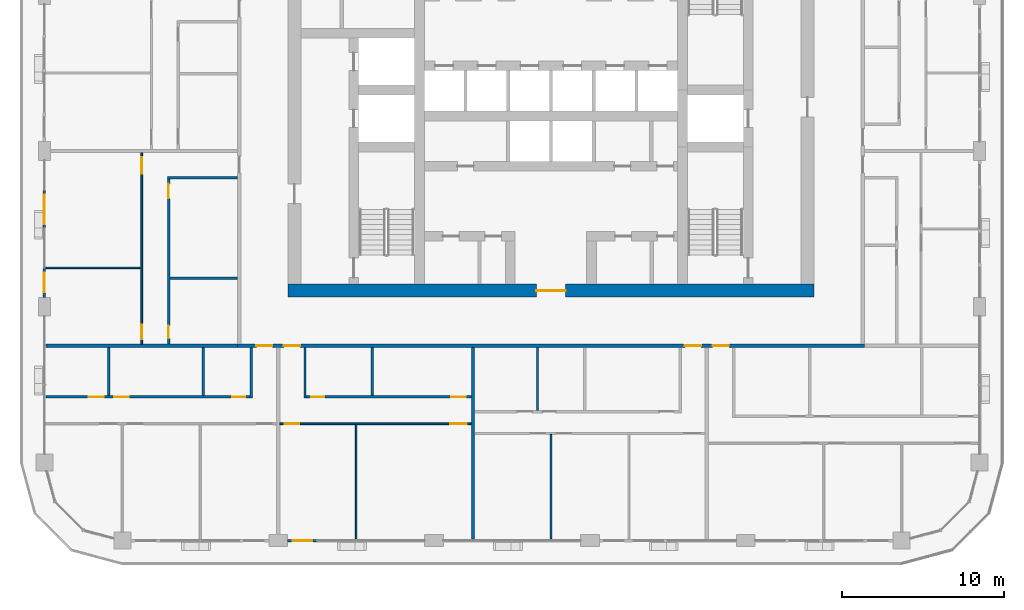
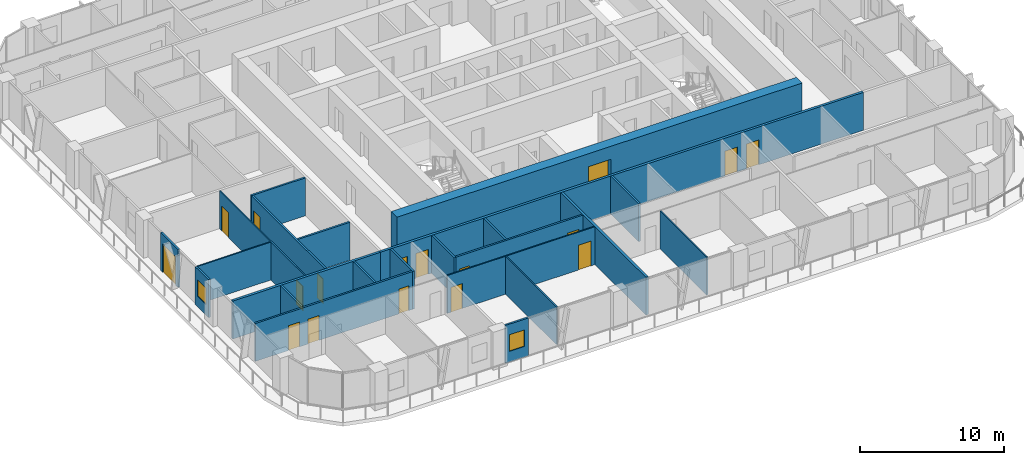
# One storey, part 9 of 22: 23 walls, 17 doors, 2 windows, 19 openings.
"""IFC4 building model written with IfcOpenShell, lengths in metres."""

from ifc_helpers import new_model, si_unit, direction, frame, frame_2d, origin, place, context, subcontext, project, spatial, rectangle, extrude, material, layer, layer_set, type_object, element, fill, save


model = new_model("IFC4")

# Units and contexts
model_context = context("Model", 3, precision=1e-05, world=origin(), true_north=direction((0.0, 1.0)))
body_context = subcontext(model_context, "Body", "Model", "MODEL_VIEW")
ifc_project = project(units=[si_unit("LENGTHUNIT", "METRE"), si_unit("AREAUNIT", "SQUARE_METRE"), si_unit("VOLUMEUNIT", "CUBIC_METRE"), si_unit("PLANEANGLEUNIT", "RADIAN"), si_unit("MASSUNIT", "GRAM", prefix="KILO")], contexts=[model_context])

# Site, building, storey
site_placement = place(None, origin())
site = spatial("IfcSite", under=ifc_project, at=site_placement, CompositionType="ELEMENT")
building_placement = place(site_placement, origin())
building = spatial("IfcBuilding", under=site, at=building_placement, Name="Madar Terraces", CompositionType="ELEMENT")
storey_placement = place(building_placement, frame((0.0, 0.0, 149.0)))
storey = spatial("IfcBuildingStorey", under=building, at=storey_placement, Name="L38", CompositionType="ELEMENT", Elevation=149.0)

# Wall, opening, door
ifc_material_1 = material(Name="Concrete C70/85", Category="concrete")
ifc_layer_1 = layer(ifc_material_1, 0.800048828125)
ifc_layer_set_1 = layer_set([ifc_layer_1], Name="Concrete C70/85 (CRW3 RC wall 800)")
wall_type_1 = type_object("IfcWallType", Name="CRW3 RC wall 800", PredefinedType="SHEAR", material=ifc_layer_set_1)
wall_1_placement = place(storey_placement, frame((15.0, 15.39990234375, 0.0), z_axis=(0.0, 0.0, 1.0), x_axis=(1.0, 0.0, 0.0)))
wall_1 = element("IfcWall", 1, at=wall_1_placement, inside=storey, type_object=wall_type_1, Name="CORE OUTER WALL", PredefinedType="SHEAR", context=body_context, shape_type="SweptSolid", body=[
    extrude(rectangle(XDim=32.39990234375, YDim=0.800048828125, at=frame_2d((16.199951171875, 0.0))), origin(), (0.0, 0.0, 1.0), 3.199951171875),
])
opening_1_placement = place(wall_1_placement, frame((15.300048828125, 0.0, 0.0)))
opening_1 = element("IfcOpeningElement", 2, at=opening_1_placement, cuts=wall_1, Name="Opening KD1", PredefinedType="OPENING", context=body_context, shape_type="SweptSolid", body=[
    extrude(rectangle(XDim=1.800048828125, YDim=2.10009765625, at=frame_2d((0.89990234375, 1.050048828125))), frame((0.0, 0.409912109375, 0.0), z_axis=(0.0, -1.0, 0.0), x_axis=(1.0, 0.0, 0.0)), (0.0, 0.0, 1.0), 0.820068359375),
])
ifc_material_2 = material(Name="Steel door leaf", Category="steel")
door_type_1 = type_object("IfcDoorType", Name="Lobby door pair 1800 x 2100", OperationType="DOUBLE_DOOR_SINGLE_SWING", PredefinedType="DOOR", material=ifc_material_2)
door_1_placement = place(opening_1_placement, frame((1.800048828125, 0.0, 0.0), z_axis=(0.0, 0.0, 1.0), x_axis=(-1.0, 0.0, 0.0)))
door_1 = element("IfcDoor", 3, at=door_1_placement, inside=storey, type_object=door_type_1, Name="LIFT LOBBY DOOR", OperationType="DOUBLE_DOOR_SINGLE_SWING", OverallHeight=2.10009765625, OverallWidth=1.800048828125, PredefinedType="DOOR", context=body_context, shape_type="SweptSolid", body=[
    extrude(rectangle(XDim=1.800048828125, YDim=2.10009765625, at=frame_2d((0.89990234375, 1.050048828125))), frame((0.0, 0.02490234375, 0.0), z_axis=(0.0, -1.0, 0.0), x_axis=(1.0, 0.0, 0.0)), (0.0, 0.0, 1.0), 0.050048828125),
])
fill(opening_1, door_1)

# Wall, opening, window
ifc_material_3 = material(Name="Aluminium composite panel, black, over insulated backing", Category="aluminium")
ifc_layer_2 = layer(ifc_material_3, 0.14990234375)
ifc_layer_set_2 = layer_set([ifc_layer_2], Name="Facade bay panel 150")
wall_type_2 = type_object("IfcWallType", Name="Facade bay panel 150", PredefinedType="SOLIDWALL", material=ifc_layer_set_2)
wall_2_placement = place(storey_placement, frame((14.97509765625, 0.0, 0.0), z_axis=(0.0, 0.0, 1.0), x_axis=(1.0, 0.0, 0.0)))
wall_2 = element("IfcWall", 4, at=wall_2_placement, inside=storey, type_object=wall_type_2, Name="Facade bay panel", PredefinedType="SOLIDWALL", context=body_context, shape_type="SweptSolid", body=[
    extrude(rectangle(XDim=1.824951171875, YDim=0.14990234375, at=frame_2d((0.91259765625, 0.0))), origin(), (0.0, 0.0, 1.0), 3.199951171875),
])
opening_2_placement = place(wall_2_placement, frame((0.3125, 0.0, 0.89990234375)))
opening_2 = element("IfcOpeningElement", 5, at=opening_2_placement, cuts=wall_2, Name="Opening W1", PredefinedType="OPENING", context=body_context, shape_type="SweptSolid", body=[
    extrude(rectangle(XDim=1.199951171875, YDim=1.39990234375, at=frame_2d((0.60009765625, 0.699951171875))), frame((0.0, 0.0849609375, 0.0), z_axis=(0.0, -1.0, 0.0), x_axis=(1.0, 0.0, 0.0)), (0.0, 0.0, 1.0), 0.169921875),
])
ifc_material_4 = material(Name="Glass, clear, with black aluminium frame", Category="aluminium")
window_type = type_object("IfcWindowType", Name="Vent window 1200 x 1400", PartitioningType="SINGLE_PANEL", PredefinedType="WINDOW", material=ifc_material_4)
window_1_placement = place(opening_2_placement, origin())
window_1 = element("IfcWindow", 6, at=window_1_placement, inside=storey, type_object=window_type, Name="Operable vent window", OverallHeight=1.39990234375, OverallWidth=1.199951171875, PartitioningType="SINGLE_PANEL", PredefinedType="WINDOW", context=body_context, shape_type="SweptSolid", body=[
    extrude(rectangle(XDim=1.199951171875, YDim=1.39990234375, at=frame_2d((0.60009765625, 0.699951171875))), frame((0.0, 0.030029296875, 0.0), z_axis=(0.0, -1.0, 0.0), x_axis=(1.0, 0.0, 0.0)), (0.0, 0.0, 1.0), 0.06005859375),
])
fill(opening_2, window_1)

# Wall, opening, door
wall_3_placement = place(storey_placement, frame((0.0, 21.60009765625, 0.0), z_axis=(0.0, 0.0, 1.0), x_axis=(0.0, -1.0, 0.0)))
wall_3 = element("IfcWall", 7, at=wall_3_placement, inside=storey, type_object=wall_type_2, Name="Facade bay panel", PredefinedType="SOLIDWALL", context=body_context, shape_type="SweptSolid", body=[
    extrude(rectangle(XDim=2.400146484375, YDim=0.14990234375, at=frame_2d((1.2001953125, 0.0))), origin(), (0.0, 0.0, 1.0), 3.199951171875),
])
opening_3_placement = place(wall_3_placement, frame((0.300048828125, 0.0, 0.0)))
opening_3 = element("IfcOpeningElement", 8, at=opening_3_placement, cuts=wall_3, Name="Opening ED1", PredefinedType="OPENING", context=body_context, shape_type="SweptSolid", body=[
    extrude(rectangle(XDim=1.800048828125, YDim=2.39990234375, at=frame_2d((0.89990234375, 1.199951171875))), frame((0.0, 0.0849609375, 0.0), z_axis=(0.0, -1.0, 0.0), x_axis=(1.0, 0.0, 0.0)), (0.0, 0.0, 1.0), 0.169921875),
])
ifc_material_5 = material(Name="Glass, clear, with black aluminium frame", Category="aluminium")
door_type_2 = type_object("IfcDoorType", Name="Balcony and terrace sliding door 1800 x 2400", OperationType="SLIDING_TO_LEFT", PredefinedType="DOOR", material=ifc_material_5)
door_2_placement = place(opening_3_placement, origin())
door_2 = element("IfcDoor", 9, at=door_2_placement, inside=storey, type_object=door_type_2, Name="Balcony door", OperationType="SLIDING_TO_LEFT", OverallHeight=2.39990234375, OverallWidth=1.800048828125, PredefinedType="DOOR", context=body_context, shape_type="SweptSolid", body=[
    extrude(rectangle(XDim=1.800048828125, YDim=2.39990234375, at=frame_2d((0.89990234375, 1.199951171875))), frame((0.0, 0.02490234375, 0.0), z_axis=(0.0, -1.0, 0.0), x_axis=(1.0, 0.0, 0.0)), (0.0, 0.0, 1.0), 0.050048828125),
])
fill(opening_3, door_2)

# Wall, opening, window
wall_4_placement = place(storey_placement, frame((0.0, 16.800048828125, 0.0), z_axis=(0.0, 0.0, 1.0), x_axis=(0.0, -1.0, 0.0)))
wall_4 = element("IfcWall", 10, at=wall_4_placement, inside=storey, type_object=wall_type_2, Name="Facade bay panel", PredefinedType="SOLIDWALL", context=body_context, shape_type="SweptSolid", body=[
    extrude(rectangle(XDim=1.824951171875, YDim=0.14990234375, at=frame_2d((0.91259765625, 0.0))), origin(), (0.0, 0.0, 1.0), 3.199951171875),
])
opening_4_placement = place(wall_4_placement, frame((0.3125, 0.0, 0.89990234375)))
opening_4 = element("IfcOpeningElement", 11, at=opening_4_placement, cuts=wall_4, Name="Opening W1", PredefinedType="OPENING", context=body_context, shape_type="SweptSolid", body=[
    extrude(rectangle(XDim=1.199951171875, YDim=1.39990234375, at=frame_2d((0.60009765625, 0.699951171875))), frame((0.0, 0.0849609375, 0.0), z_axis=(0.0, -1.0, 0.0), x_axis=(1.0, 0.0, 0.0)), (0.0, 0.0, 1.0), 0.169921875),
])
window_2_placement = place(opening_4_placement, origin())
window_2 = element("IfcWindow", 12, at=window_2_placement, inside=storey, type_object=window_type, Name="Operable vent window", OverallHeight=1.39990234375, OverallWidth=1.199951171875, PartitioningType="SINGLE_PANEL", PredefinedType="WINDOW", context=body_context, shape_type="SweptSolid", body=[
    extrude(rectangle(XDim=1.199951171875, YDim=1.39990234375, at=frame_2d((0.60009765625, 0.699951171875))), frame((0.0, 0.030029296875, 0.0), z_axis=(0.0, -1.0, 0.0), x_axis=(1.0, 0.0, 0.0)), (0.0, 0.0, 1.0), 0.06005859375),
])
fill(opening_4, window_2)

# Wall
ifc_material_6 = material(Name="Gypsum board on steel studs", Category="steel")
ifc_layer_3 = layer(ifc_material_6, 0.10009765625)
ifc_layer_set_3 = layer_set([ifc_layer_3], Name="Flat partition 100")
wall_type_3 = type_object("IfcWallType", Name="Flat partition 100", PredefinedType="PARTITIONING", material=ifc_layer_set_3)
wall_5_placement = place(storey_placement, frame((19.199951171875, 7.14990234375, 0.0), z_axis=(0.0, 0.0, 1.0), x_axis=(0.0, -1.0, 0.0)))
element("IfcWall", 13, at=wall_5_placement, inside=storey, type_object=wall_type_3, Name="Flat partition 100", PredefinedType="PARTITIONING", context=body_context, shape_type="SweptSolid", body=[
    extrude(rectangle(XDim=7.0498046875, YDim=0.10009765625, at=frame_2d((3.52490234375, 0.0))), origin(), (0.0, 0.0, 1.0), 3.199951171875),
])

# Wall, openings, doors
wall_6_placement = place(storey_placement, frame((26.300048828125, 7.199951171875, 0.0), z_axis=(0.0, 0.0, 1.0), x_axis=(-1.0, 0.0, 0.0)))
wall_6 = element("IfcWall", 14, at=wall_6_placement, inside=storey, type_object=wall_type_3, Name="Flat partition 100", PredefinedType="PARTITIONING", context=body_context, shape_type="SweptSolid", body=[
    extrude(rectangle(XDim=11.800048828125, YDim=0.10009765625, at=frame_2d((5.89990234375, 0.0))), origin(), (0.0, 0.0, 1.0), 3.199951171875),
])
opening_5_placement = place(wall_6_placement, frame((10.60009765625, 0.0, 0.0)))
opening_5 = element("IfcOpeningElement", 15, at=opening_5_placement, cuts=wall_6, Name="Opening D2", PredefinedType="OPENING", context=body_context, shape_type="SweptSolid", body=[
    extrude(rectangle(XDim=0.89990234375, YDim=2.10009765625, at=frame_2d((0.449951171875, 1.050048828125))), frame((0.0, 0.06005859375, 0.0), z_axis=(0.0, -1.0, 0.0), x_axis=(1.0, 0.0, 0.0)), (0.0, 0.0, 1.0), 0.1201171875),
])
opening_6_placement = place(wall_6_placement, frame((0.300048828125, 0.0, 0.0)))
opening_6 = element("IfcOpeningElement", 16, at=opening_6_placement, cuts=wall_6, Name="Opening D3", PredefinedType="OPENING", context=body_context, shape_type="SweptSolid", body=[
    extrude(rectangle(XDim=1.0, YDim=2.10009765625, at=frame_2d((0.5, 1.050048828125))), frame((0.0, 0.06005859375, 0.0), z_axis=(0.0, -1.0, 0.0), x_axis=(1.0, 0.0, 0.0)), (0.0, 0.0, 1.0), 0.1201171875),
])
ifc_material_7 = material(Name="Timber door leaf", Category="wood")
door_type_3 = type_object("IfcDoorType", Name="Flat living room door 1000", OperationType="NOTDEFINED", PredefinedType="DOOR", material=ifc_material_7)
door_3_placement = place(opening_6_placement, origin())
door_3 = element("IfcDoor", 17, at=door_3_placement, inside=storey, type_object=door_type_3, Name="Flat living room door 1000", OperationType="SINGLE_SWING_LEFT", OverallHeight=2.10009765625, OverallWidth=1.0, PredefinedType="DOOR", context=body_context, shape_type="SweptSolid", body=[
    extrude(rectangle(XDim=1.0, YDim=2.10009765625, at=frame_2d((0.5, 1.050048828125))), frame((0.0, 0.02490234375, 0.0), z_axis=(0.0, -1.0, 0.0), x_axis=(1.0, 0.0, 0.0)), (0.0, 0.0, 1.0), 0.050048828125),
])
fill(opening_6, door_3)
ifc_material_8 = material(Name="Timber door leaf", Category="wood")
door_type_4 = type_object("IfcDoorType", Name="Flat room door 900", OperationType="NOTDEFINED", PredefinedType="DOOR", material=ifc_material_8)
door_4_placement = place(opening_5_placement, origin())
door_4 = element("IfcDoor", 18, at=door_4_placement, inside=storey, type_object=door_type_4, Name="Flat room door 900", OperationType="SINGLE_SWING_RIGHT", OverallHeight=2.10009765625, OverallWidth=0.89990234375, PredefinedType="DOOR", context=body_context, shape_type="SweptSolid", body=[
    extrude(rectangle(XDim=0.89990234375, YDim=2.10009765625, at=frame_2d((0.449951171875, 1.050048828125))), frame((0.0, 0.02490234375, 0.0), z_axis=(0.0, -1.0, 0.0), x_axis=(1.0, 0.0, 0.0)), (0.0, 0.0, 1.0), 0.050048828125),
])
fill(opening_5, door_4)

# Walls
wall_7_placement = place(storey_placement, frame((31.199951171875, 6.550048828125, 0.0), z_axis=(0.0, 0.0, 1.0), x_axis=(0.0, -1.0, 0.0)))
element("IfcWall", 19, at=wall_7_placement, inside=storey, type_object=wall_type_3, Name="Flat partition 100", PredefinedType="PARTITIONING", context=body_context, shape_type="SweptSolid", body=[
    extrude(rectangle(XDim=6.449951171875, YDim=0.10009765625, at=frame_2d((3.22509765625, 0.0))), origin(), (0.0, 0.0, 1.0), 3.199951171875),
])
wall_8_placement = place(storey_placement, frame((5.949951171875, 16.800048828125, 0.0), z_axis=(0.0, 0.0, 1.0), x_axis=(-1.0, 0.0, 0.0)))
element("IfcWall", 20, at=wall_8_placement, inside=storey, type_object=wall_type_3, Name="Flat partition 100", PredefinedType="PARTITIONING", context=body_context, shape_type="SweptSolid", body=[
    extrude(rectangle(XDim=5.849853515625, YDim=0.10009765625, at=frame_2d((2.9248046875, 0.0))), origin(), (0.0, 0.0, 1.0), 3.199951171875),
])

# Wall, openings, doors
wall_9_placement = place(storey_placement, frame((6.0, 12.10009765625, 0.0), z_axis=(0.0, 0.0, 1.0), x_axis=(0.0, 1.0, 0.0)))
wall_9 = element("IfcWall", 21, at=wall_9_placement, inside=storey, type_object=wall_type_3, Name="Flat partition 100", PredefinedType="PARTITIONING", context=body_context, shape_type="SweptSolid", body=[
    extrude(rectangle(XDim=11.7998046875, YDim=0.10009765625, at=frame_2d((5.89990234375, 0.0))), origin(), (0.0, 0.0, 1.0), 3.199951171875),
])
opening_7_placement = place(wall_9_placement, frame((10.5, 0.0, 0.0)))
opening_7 = element("IfcOpeningElement", 22, at=opening_7_placement, cuts=wall_9, Name="Opening D3", PredefinedType="OPENING", context=body_context, shape_type="SweptSolid", body=[
    extrude(rectangle(XDim=1.0, YDim=2.10009765625, at=frame_2d((0.5, 1.050048828125))), frame((0.0, 0.06005859375, 0.0), z_axis=(0.0, -1.0, 0.0), x_axis=(1.0, 0.0, 0.0)), (0.0, 0.0, 1.0), 0.1201171875),
])
opening_8_placement = place(wall_9_placement, frame((0.300048828125, 0.0, 0.0)))
opening_8 = element("IfcOpeningElement", 23, at=opening_8_placement, cuts=wall_9, Name="Opening D2", PredefinedType="OPENING", context=body_context, shape_type="SweptSolid", body=[
    extrude(rectangle(XDim=0.89990234375, YDim=2.10009765625, at=frame_2d((0.449951171875, 1.050048828125))), frame((0.0, 0.06005859375, 0.0), z_axis=(0.0, -1.0, 0.0), x_axis=(1.0, 0.0, 0.0)), (0.0, 0.0, 1.0), 0.1201171875),
])
door_5_placement = place(opening_7_placement, origin())
door_5 = element("IfcDoor", 24, at=door_5_placement, inside=storey, type_object=door_type_3, Name="Flat living room door 1000", OperationType="SINGLE_SWING_RIGHT", OverallHeight=2.10009765625, OverallWidth=1.0, PredefinedType="DOOR", context=body_context, shape_type="SweptSolid", body=[
    extrude(rectangle(XDim=1.0, YDim=2.10009765625, at=frame_2d((0.5, 1.050048828125))), frame((0.0, 0.02490234375, 0.0), z_axis=(0.0, -1.0, 0.0), x_axis=(1.0, 0.0, 0.0)), (0.0, 0.0, 1.0), 0.050048828125),
])
fill(opening_7, door_5)
door_6_placement = place(opening_8_placement, origin())
door_6 = element("IfcDoor", 25, at=door_6_placement, inside=storey, type_object=door_type_4, Name="Flat room door 900", OperationType="SINGLE_SWING_LEFT", OverallHeight=2.10009765625, OverallWidth=0.89990234375, PredefinedType="DOOR", context=body_context, shape_type="SweptSolid", body=[
    extrude(rectangle(XDim=0.89990234375, YDim=2.10009765625, at=frame_2d((0.449951171875, 1.050048828125))), frame((0.0, 0.02490234375, 0.0), z_axis=(0.0, -1.0, 0.0), x_axis=(1.0, 0.0, 0.0)), (0.0, 0.0, 1.0), 0.050048828125),
])
fill(opening_8, door_6)

ifc_material_9 = material(Name="Lightweight blockwork", Category="masonry")
ifc_layer_4 = layer(ifc_material_9, 0.199951171875)
ifc_layer_set_4 = layer_set([ifc_layer_4], Name="Flat party and entrance wall 200")
wall_type_4 = type_object("IfcWallType", Name="Flat party and entrance wall 200", PredefinedType="PARTITIONING", material=ifc_layer_set_4)
wall_10_placement = place(storey_placement, frame((50.5, 12.0, 0.0), z_axis=(0.0, 0.0, 1.0), x_axis=(-1.0, 0.0, 0.0)))
wall_10 = element("IfcWall", 26, at=wall_10_placement, inside=storey, type_object=wall_type_4, Name="Flat party and entrance wall 200", PredefinedType="PARTITIONING", context=body_context, shape_type="SweptSolid", body=[
    extrude(rectangle(XDim=38.60009765625, YDim=0.199951171875, at=frame_2d((19.300048828125, 0.0))), origin(), (0.0, 0.0, 1.0), 3.199951171875),
])
opening_9_placement = place(wall_10_placement, frame((36.449951171875, 0.0, 0.0)))
opening_9 = element("IfcOpeningElement", 27, at=opening_9_placement, cuts=wall_10, Name="Opening D1", PredefinedType="OPENING", context=body_context, shape_type="SweptSolid", body=[
    extrude(rectangle(XDim=1.0, YDim=2.10009765625, at=frame_2d((0.5, 1.050048828125))), frame((0.0, 0.10986328125, 0.0), z_axis=(0.0, -1.0, 0.0), x_axis=(1.0, 0.0, 0.0)), (0.0, 0.0, 1.0), 0.219970703125),
])
opening_10_placement = place(wall_10_placement, frame((34.75, 0.0, 0.0)))
opening_10 = element("IfcOpeningElement", 28, at=opening_10_placement, cuts=wall_10, Name="Opening D1", PredefinedType="OPENING", context=body_context, shape_type="SweptSolid", body=[
    extrude(rectangle(XDim=1.0, YDim=2.10009765625, at=frame_2d((0.5, 1.050048828125))), frame((0.0, 0.10986328125, 0.0), z_axis=(0.0, -1.0, 0.0), x_axis=(1.0, 0.0, 0.0)), (0.0, 0.0, 1.0), 0.219970703125),
])
opening_11_placement = place(wall_10_placement, frame((10.050048828125, 0.0, 0.0)))
opening_11 = element("IfcOpeningElement", 29, at=opening_11_placement, cuts=wall_10, Name="Opening D1", PredefinedType="OPENING", context=body_context, shape_type="SweptSolid", body=[
    extrude(rectangle(XDim=1.0, YDim=2.10009765625, at=frame_2d((0.5, 1.050048828125))), frame((0.0, 0.10986328125, 0.0), z_axis=(0.0, -1.0, 0.0), x_axis=(1.0, 0.0, 0.0)), (0.0, 0.0, 1.0), 0.219970703125),
])
opening_12_placement = place(wall_10_placement, frame((8.35009765625, 0.0, 0.0)))
opening_12 = element("IfcOpeningElement", 30, at=opening_12_placement, cuts=wall_10, Name="Opening D1", PredefinedType="OPENING", context=body_context, shape_type="SweptSolid", body=[
    extrude(rectangle(XDim=1.0, YDim=2.10009765625, at=frame_2d((0.5, 1.050048828125))), frame((0.0, 0.10986328125, 0.0), z_axis=(0.0, -1.0, 0.0), x_axis=(1.0, 0.0, 0.0)), (0.0, 0.0, 1.0), 0.219970703125),
])
ifc_material_10 = material(Name="Timber fire door leaf", Category="wood")
door_type_5 = type_object("IfcDoorType", Name="Flat entrance door 1000 FD30S", OperationType="NOTDEFINED", PredefinedType="DOOR", material=ifc_material_10)
door_7_placement = place(opening_9_placement, origin())
door_7 = element("IfcDoor", 31, at=door_7_placement, inside=storey, type_object=door_type_5, Name="Flat entrance door 1000 FD30S", OperationType="SINGLE_SWING_LEFT", OverallHeight=2.10009765625, OverallWidth=1.0, PredefinedType="DOOR", context=body_context, shape_type="SweptSolid", body=[
    extrude(rectangle(XDim=1.0, YDim=2.10009765625, at=frame_2d((0.5, 1.050048828125))), frame((0.0, 0.02490234375, 0.0), z_axis=(0.0, -1.0, 0.0), x_axis=(1.0, 0.0, 0.0)), (0.0, 0.0, 1.0), 0.050048828125),
])
fill(opening_9, door_7)
door_8_placement = place(opening_10_placement, origin())
door_8 = element("IfcDoor", 32, at=door_8_placement, inside=storey, type_object=door_type_5, Name="Flat entrance door 1000 FD30S", OperationType="SINGLE_SWING_RIGHT", OverallHeight=2.10009765625, OverallWidth=1.0, PredefinedType="DOOR", context=body_context, shape_type="SweptSolid", body=[
    extrude(rectangle(XDim=1.0, YDim=2.10009765625, at=frame_2d((0.5, 1.050048828125))), frame((0.0, 0.02490234375, 0.0), z_axis=(0.0, -1.0, 0.0), x_axis=(1.0, 0.0, 0.0)), (0.0, 0.0, 1.0), 0.050048828125),
])
fill(opening_10, door_8)
door_9_placement = place(opening_11_placement, origin())
door_9 = element("IfcDoor", 33, at=door_9_placement, inside=storey, type_object=door_type_5, Name="Flat entrance door 1000 FD30S", OperationType="SINGLE_SWING_LEFT", OverallHeight=2.10009765625, OverallWidth=1.0, PredefinedType="DOOR", context=body_context, shape_type="SweptSolid", body=[
    extrude(rectangle(XDim=1.0, YDim=2.10009765625, at=frame_2d((0.5, 1.050048828125))), frame((0.0, 0.02490234375, 0.0), z_axis=(0.0, -1.0, 0.0), x_axis=(1.0, 0.0, 0.0)), (0.0, 0.0, 1.0), 0.050048828125),
])
fill(opening_11, door_9)
door_10_placement = place(opening_12_placement, origin())
door_10 = element("IfcDoor", 34, at=door_10_placement, inside=storey, type_object=door_type_5, Name="Flat entrance door 1000 FD30S", OperationType="SINGLE_SWING_RIGHT", OverallHeight=2.10009765625, OverallWidth=1.0, PredefinedType="DOOR", context=body_context, shape_type="SweptSolid", body=[
    extrude(rectangle(XDim=1.0, YDim=2.10009765625, at=frame_2d((0.5, 1.050048828125))), frame((0.0, 0.02490234375, 0.0), z_axis=(0.0, -1.0, 0.0), x_axis=(1.0, 0.0, 0.0)), (0.0, 0.0, 1.0), 0.050048828125),
])
fill(opening_12, door_10)

# Walls
for number, where, z_axis, x_axis, name in (
    (35, (0.10009765625, 12.0, 0.0), (0.0, 0.0, 1.0), (1.0, 0.0, 0.0), "Flat party and entrance wall 200"),
    (36, (26.39990234375, 11.89990234375, 0.0), (0.0, 0.0, 1.0), (0.0, -1.0, 0.0), "Flat party and entrance wall 200"),
):
    element("IfcWall", number, at=place(storey_placement, frame(where, z_axis=z_axis, x_axis=x_axis)), inside=storey, type_object=wall_type_4, Name=name, PredefinedType="PARTITIONING", context=body_context, shape_type="SweptSolid", body=[
        extrude(rectangle(XDim=11.7998046875, YDim=0.199951171875, at=frame_2d((5.89990234375, 0.0))), origin(), (0.0, 0.0, 1.0), 3.199951171875),
    ])
ifc_material_11 = material(Name="Lightweight blockwork", Category="masonry")
ifc_layer_5 = layer(ifc_material_11, 0.14990234375)
ifc_layer_set_5 = layer_set([ifc_layer_5], Name="Flat wet-room partition 150")
wall_type_5 = type_object("IfcWallType", Name="Flat wet-room partition 150", PredefinedType="PARTITIONING", material=ifc_layer_set_5)
for number, where, z_axis, x_axis, name in (
    (37, (9.773193359375, 11.89990234375, 0.0), (0.0, 0.0, 1.0), (0.0, -1.0, 0.0), "Flat wet-room partition 150"),
    (38, (3.96923828125, 11.89990234375, 0.0), (0.0, 0.0, 1.0), (0.0, -1.0, 0.0), "Flat wet-room partition 150"),
):
    element("IfcWall", number, at=place(storey_placement, frame(where, z_axis=z_axis, x_axis=x_axis)), inside=storey, type_object=wall_type_5, Name=name, PredefinedType="PARTITIONING", context=body_context, shape_type="SweptSolid", body=[
        extrude(rectangle(XDim=2.974853515625, YDim=0.14990234375, at=frame_2d((1.4873046875, 0.0))), origin(), (0.0, 0.0, 1.0), 3.199951171875),
    ])
wall_11_placement = place(storey_placement, frame((12.75, 11.89990234375, 0.0), z_axis=(0.0, 0.0, 1.0), x_axis=(0.0, -1.0, 0.0)))
element("IfcWall", 39, at=wall_11_placement, inside=storey, type_object=wall_type_5, Name="Flat wet-room partition 150", PredefinedType="PARTITIONING", context=body_context, shape_type="SweptSolid", body=[
    extrude(rectangle(XDim=3.125, YDim=0.14990234375, at=frame_2d((1.5625, 0.0))), origin(), (0.0, 0.0, 1.0), 3.199951171875),
])

# Wall, openings, doors
wall_12_placement = place(storey_placement, frame((0.10009765625, 8.85009765625, 0.0), z_axis=(0.0, 0.0, 1.0), x_axis=(1.0, 0.0, 0.0)))
wall_12 = element("IfcWall", 40, at=wall_12_placement, inside=storey, type_object=wall_type_5, Name="Flat wet-room partition 150", PredefinedType="PARTITIONING", context=body_context, shape_type="SweptSolid", body=[
    extrude(rectangle(XDim=12.574951171875, YDim=0.14990234375, at=frame_2d((6.28759765625, 0.0))), origin(), (0.0, 0.0, 1.0), 3.199951171875),
])
opening_13_placement = place(wall_12_placement, frame((11.47509765625, 0.0, 0.0)))
opening_13 = element("IfcOpeningElement", 41, at=opening_13_placement, cuts=wall_12, Name="Opening D4", PredefinedType="OPENING", context=body_context, shape_type="SweptSolid", body=[
    extrude(rectangle(XDim=0.800048828125, YDim=2.10009765625, at=frame_2d((0.39990234375, 1.050048828125))), frame((0.0, 0.0849609375, 0.0), z_axis=(0.0, -1.0, 0.0), x_axis=(1.0, 0.0, 0.0)), (0.0, 0.0, 1.0), 0.169921875),
])
opening_14_placement = place(wall_12_placement, frame((4.1943359375, 0.0, 0.0)))
opening_14 = element("IfcOpeningElement", 42, at=opening_14_placement, cuts=wall_12, Name="Opening D2", PredefinedType="OPENING", context=body_context, shape_type="SweptSolid", body=[
    extrude(rectangle(XDim=0.89990234375, YDim=2.10009765625, at=frame_2d((0.449951171875, 1.050048828125))), frame((0.0, 0.0849609375, 0.0), z_axis=(0.0, -1.0, 0.0), x_axis=(1.0, 0.0, 0.0)), (0.0, 0.0, 1.0), 0.169921875),
])
opening_15_placement = place(wall_12_placement, frame((2.644287109375, 0.0, 0.0)))
opening_15 = element("IfcOpeningElement", 43, at=opening_15_placement, cuts=wall_12, Name="Opening D5", PredefinedType="OPENING", context=body_context, shape_type="SweptSolid", body=[
    extrude(rectangle(XDim=0.89990234375, YDim=2.10009765625, at=frame_2d((0.449951171875, 1.050048828125))), frame((0.0, 0.0849609375, 0.0), z_axis=(0.0, -1.0, 0.0), x_axis=(1.0, 0.0, 0.0)), (0.0, 0.0, 1.0), 0.169921875),
])
ifc_material_12 = material(Name="Timber door leaf", Category="wood")
door_type_6 = type_object("IfcDoorType", Name="Flat accessible bathroom door 900", OperationType="NOTDEFINED", PredefinedType="DOOR", material=ifc_material_12)
door_11_placement = place(opening_15_placement, origin())
door_11 = element("IfcDoor", 44, at=door_11_placement, inside=storey, type_object=door_type_6, Name="Flat accessible bathroom door 900", OperationType="SINGLE_SWING_RIGHT", OverallHeight=2.10009765625, OverallWidth=0.89990234375, PredefinedType="DOOR", context=body_context, shape_type="SweptSolid", body=[
    extrude(rectangle(XDim=0.89990234375, YDim=2.10009765625, at=frame_2d((0.449951171875, 1.050048828125))), frame((0.0, 0.02490234375, 0.0), z_axis=(0.0, -1.0, 0.0), x_axis=(1.0, 0.0, 0.0)), (0.0, 0.0, 1.0), 0.050048828125),
])
fill(opening_15, door_11)
ifc_material_13 = material(Name="Timber door leaf", Category="wood")
door_type_7 = type_object("IfcDoorType", Name="Flat bathroom door 800", OperationType="NOTDEFINED", PredefinedType="DOOR", material=ifc_material_13)
door_12_placement = place(opening_13_placement, origin())
door_12 = element("IfcDoor", 45, at=door_12_placement, inside=storey, type_object=door_type_7, Name="Flat bathroom door 800", OperationType="SINGLE_SWING_RIGHT", OverallHeight=2.10009765625, OverallWidth=0.800048828125, PredefinedType="DOOR", context=body_context, shape_type="SweptSolid", body=[
    extrude(rectangle(XDim=0.800048828125, YDim=2.10009765625, at=frame_2d((0.39990234375, 1.050048828125))), frame((0.0, 0.02490234375, 0.0), z_axis=(0.0, -1.0, 0.0), x_axis=(1.0, 0.0, 0.0)), (0.0, 0.0, 1.0), 0.050048828125),
])
fill(opening_13, door_12)
door_13_placement = place(opening_14_placement, origin())
door_13 = element("IfcDoor", 46, at=door_13_placement, inside=storey, type_object=door_type_4, Name="Flat room door 900", OperationType="SINGLE_SWING_LEFT", OverallHeight=2.10009765625, OverallWidth=0.89990234375, PredefinedType="DOOR", context=body_context, shape_type="SweptSolid", body=[
    extrude(rectangle(XDim=0.89990234375, YDim=2.10009765625, at=frame_2d((0.449951171875, 1.050048828125))), frame((0.0, 0.02490234375, 0.0), z_axis=(0.0, -1.0, 0.0), x_axis=(1.0, 0.0, 0.0)), (0.0, 0.0, 1.0), 0.050048828125),
])
fill(opening_14, door_13)

# Walls
wall_13_placement = place(storey_placement, frame((20.195068359375, 11.89990234375, 0.0), z_axis=(0.0, 0.0, 1.0), x_axis=(0.0, -1.0, 0.0)))
element("IfcWall", 47, at=wall_13_placement, inside=storey, type_object=wall_type_5, Name="Flat wet-room partition 150", PredefinedType="PARTITIONING", context=body_context, shape_type="SweptSolid", body=[
    extrude(rectangle(XDim=2.974853515625, YDim=0.14990234375, at=frame_2d((1.4873046875, 0.0))), origin(), (0.0, 0.0, 1.0), 3.199951171875),
])
wall_14_placement = place(storey_placement, frame((16.050048828125, 11.89990234375, 0.0), z_axis=(0.0, 0.0, 1.0), x_axis=(0.0, -1.0, 0.0)))
element("IfcWall", 48, at=wall_14_placement, inside=storey, type_object=wall_type_5, Name="Flat wet-room partition 150", PredefinedType="PARTITIONING", context=body_context, shape_type="SweptSolid", body=[
    extrude(rectangle(XDim=3.125, YDim=0.14990234375, at=frame_2d((1.5625, 0.0))), origin(), (0.0, 0.0, 1.0), 3.199951171875),
])

# Wall, openings, doors
wall_15_placement = place(storey_placement, frame((16.125, 8.85009765625, 0.0), z_axis=(0.0, 0.0, 1.0), x_axis=(1.0, 0.0, 0.0)))
wall_15 = element("IfcWall", 49, at=wall_15_placement, inside=storey, type_object=wall_type_5, Name="Flat wet-room partition 150", PredefinedType="PARTITIONING", context=body_context, shape_type="SweptSolid", body=[
    extrude(rectangle(XDim=10.175048828125, YDim=0.14990234375, at=frame_2d((5.08740234375, 0.0))), origin(), (0.0, 0.0, 1.0), 3.199951171875),
])
opening_16_placement = place(wall_15_placement, frame((0.300048828125, 0.0, 0.0)))
opening_16 = element("IfcOpeningElement", 50, at=opening_16_placement, cuts=wall_15, Name="Opening D4", PredefinedType="OPENING", context=body_context, shape_type="SweptSolid", body=[
    extrude(rectangle(XDim=0.800048828125, YDim=2.10009765625, at=frame_2d((0.39990234375, 1.050048828125))), frame((0.0, 0.0849609375, 0.0), z_axis=(0.0, -1.0, 0.0), x_axis=(1.0, 0.0, 0.0)), (0.0, 0.0, 1.0), 0.169921875),
])
opening_17_placement = place(wall_15_placement, frame((8.925048828125, 0.0, 0.0)))
opening_17 = element("IfcOpeningElement", 51, at=opening_17_placement, cuts=wall_15, Name="Opening D2", PredefinedType="OPENING", context=body_context, shape_type="SweptSolid", body=[
    extrude(rectangle(XDim=0.89990234375, YDim=2.10009765625, at=frame_2d((0.449951171875, 1.050048828125))), frame((0.0, 0.0849609375, 0.0), z_axis=(0.0, -1.0, 0.0), x_axis=(1.0, 0.0, 0.0)), (0.0, 0.0, 1.0), 0.169921875),
])
door_14_placement = place(opening_16_placement, origin())
door_14 = element("IfcDoor", 52, at=door_14_placement, inside=storey, type_object=door_type_7, Name="Flat bathroom door 800", OperationType="SINGLE_SWING_LEFT", OverallHeight=2.10009765625, OverallWidth=0.800048828125, PredefinedType="DOOR", context=body_context, shape_type="SweptSolid", body=[
    extrude(rectangle(XDim=0.800048828125, YDim=2.10009765625, at=frame_2d((0.39990234375, 1.050048828125))), frame((0.0, 0.02490234375, 0.0), z_axis=(0.0, -1.0, 0.0), x_axis=(1.0, 0.0, 0.0)), (0.0, 0.0, 1.0), 0.050048828125),
])
fill(opening_16, door_14)
door_15_placement = place(opening_17_placement, origin())
door_15 = element("IfcDoor", 53, at=door_15_placement, inside=storey, type_object=door_type_4, Name="Flat room door 900", OperationType="SINGLE_SWING_RIGHT", OverallHeight=2.10009765625, OverallWidth=0.89990234375, PredefinedType="DOOR", context=body_context, shape_type="SweptSolid", body=[
    extrude(rectangle(XDim=0.89990234375, YDim=2.10009765625, at=frame_2d((0.449951171875, 1.050048828125))), frame((0.0, 0.02490234375, 0.0), z_axis=(0.0, -1.0, 0.0), x_axis=(1.0, 0.0, 0.0)), (0.0, 0.0, 1.0), 0.050048828125),
])
fill(opening_17, door_15)

# Walls
wall_16_placement = place(storey_placement, frame((30.369384765625, 11.89990234375, 0.0), z_axis=(0.0, 0.0, 1.0), x_axis=(0.0, -1.0, 0.0)))
element("IfcWall", 54, at=wall_16_placement, inside=storey, type_object=wall_type_5, Name="Flat wet-room partition 150", PredefinedType="PARTITIONING", context=body_context, shape_type="SweptSolid", body=[
    extrude(rectangle(XDim=3.875, YDim=0.14990234375, at=frame_2d((1.9375, 0.0))), origin(), (0.0, 0.0, 1.0), 3.199951171875),
])
wall_17_placement = place(storey_placement, frame((11.89990234375, 16.169921875, 0.0), z_axis=(0.0, 0.0, 1.0), x_axis=(-1.0, 0.0, 0.0)))
element("IfcWall", 55, at=wall_17_placement, inside=storey, type_object=wall_type_5, Name="Flat wet-room partition 150", PredefinedType="PARTITIONING", context=body_context, shape_type="SweptSolid", body=[
    extrude(rectangle(XDim=4.1748046875, YDim=0.14990234375, at=frame_2d((2.08740234375, 0.0))), origin(), (0.0, 0.0, 1.0), 3.199951171875),
])
wall_18_placement = place(storey_placement, frame((11.89990234375, 22.35009765625, 0.0), z_axis=(0.0, 0.0, 1.0), x_axis=(-1.0, 0.0, 0.0)))
element("IfcWall", 56, at=wall_18_placement, inside=storey, type_object=wall_type_5, Name="Flat wet-room partition 150", PredefinedType="PARTITIONING", context=body_context, shape_type="SweptSolid", body=[
    extrude(rectangle(XDim=4.324951171875, YDim=0.14990234375, at=frame_2d((2.16259765625, 0.0))), origin(), (0.0, 0.0, 1.0), 3.199951171875),
])

# Wall, openings, doors
wall_19_placement = place(storey_placement, frame((7.64990234375, 22.27490234375, 0.0), z_axis=(0.0, 0.0, 1.0), x_axis=(0.0, -1.0, 0.0)))
wall_19 = element("IfcWall", 57, at=wall_19_placement, inside=storey, type_object=wall_type_5, Name="Flat wet-room partition 150", PredefinedType="PARTITIONING", context=body_context, shape_type="SweptSolid", body=[
    extrude(rectangle(XDim=10.1748046875, YDim=0.14990234375, at=frame_2d((5.08740234375, 0.0))), origin(), (0.0, 0.0, 1.0), 3.199951171875),
])
opening_18_placement = place(wall_19_placement, frame((0.300048828125, 0.0, 0.0)))
opening_18 = element("IfcOpeningElement", 58, at=opening_18_placement, cuts=wall_19, Name="Opening D2", PredefinedType="OPENING", context=body_context, shape_type="SweptSolid", body=[
    extrude(rectangle(XDim=0.89990234375, YDim=2.10009765625, at=frame_2d((0.449951171875, 1.050048828125))), frame((0.0, 0.0849609375, 0.0), z_axis=(0.0, -1.0, 0.0), x_axis=(1.0, 0.0, 0.0)), (0.0, 0.0, 1.0), 0.169921875),
])
opening_19_placement = place(wall_19_placement, frame((9.02490234375, 0.0, 0.0)))
opening_19 = element("IfcOpeningElement", 59, at=opening_19_placement, cuts=wall_19, Name="Opening D4", PredefinedType="OPENING", context=body_context, shape_type="SweptSolid", body=[
    extrude(rectangle(XDim=0.800048828125, YDim=2.10009765625, at=frame_2d((0.39990234375, 1.050048828125))), frame((0.0, 0.0849609375, 0.0), z_axis=(0.0, -1.0, 0.0), x_axis=(1.0, 0.0, 0.0)), (0.0, 0.0, 1.0), 0.169921875),
])
door_16_placement = place(opening_19_placement, origin())
door_16 = element("IfcDoor", 60, at=door_16_placement, inside=storey, type_object=door_type_7, Name="Flat bathroom door 800", OperationType="SINGLE_SWING_RIGHT", OverallHeight=2.10009765625, OverallWidth=0.800048828125, PredefinedType="DOOR", context=body_context, shape_type="SweptSolid", body=[
    extrude(rectangle(XDim=0.800048828125, YDim=2.10009765625, at=frame_2d((0.39990234375, 1.050048828125))), frame((0.0, 0.02490234375, 0.0), z_axis=(0.0, -1.0, 0.0), x_axis=(1.0, 0.0, 0.0)), (0.0, 0.0, 1.0), 0.050048828125),
])
fill(opening_19, door_16)
door_17_placement = place(opening_18_placement, origin())
door_17 = element("IfcDoor", 61, at=door_17_placement, inside=storey, type_object=door_type_4, Name="Flat room door 900", OperationType="SINGLE_SWING_LEFT", OverallHeight=2.10009765625, OverallWidth=0.89990234375, PredefinedType="DOOR", context=body_context, shape_type="SweptSolid", body=[
    extrude(rectangle(XDim=0.89990234375, YDim=2.10009765625, at=frame_2d((0.449951171875, 1.050048828125))), frame((0.0, 0.02490234375, 0.0), z_axis=(0.0, -1.0, 0.0), x_axis=(1.0, 0.0, 0.0)), (0.0, 0.0, 1.0), 0.050048828125),
])
fill(opening_18, door_17)

save(model, "model.ifc")
